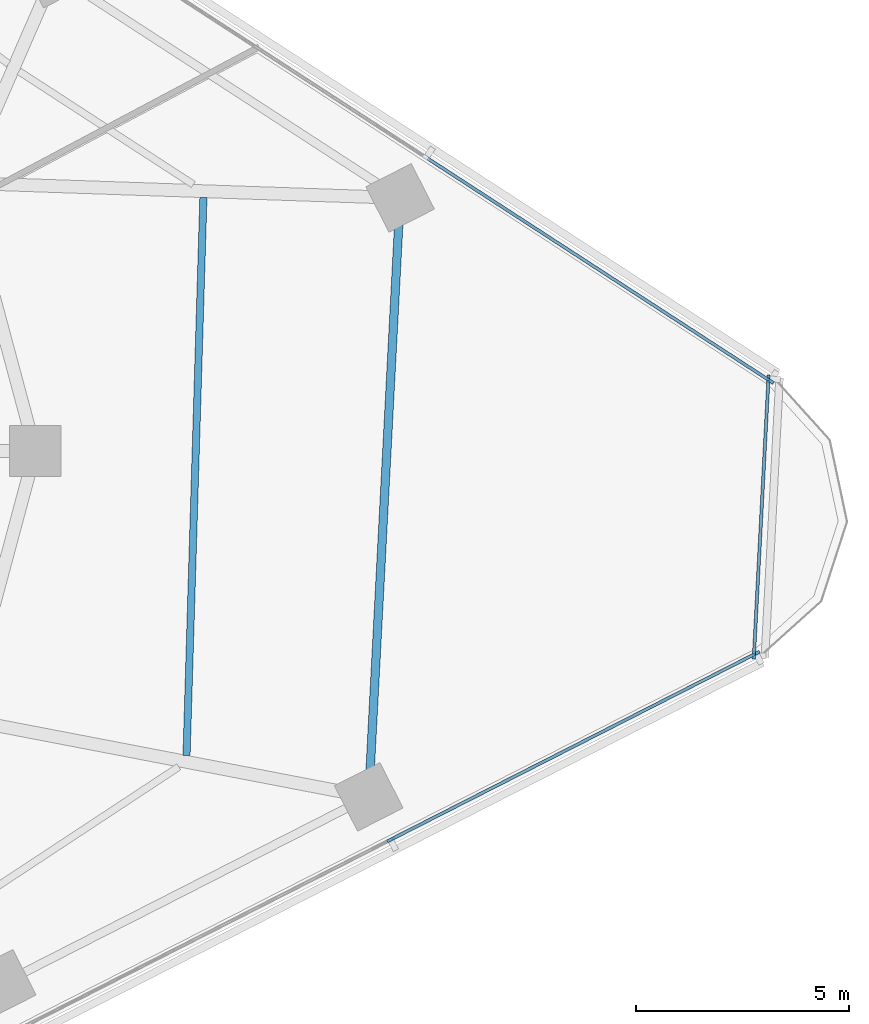
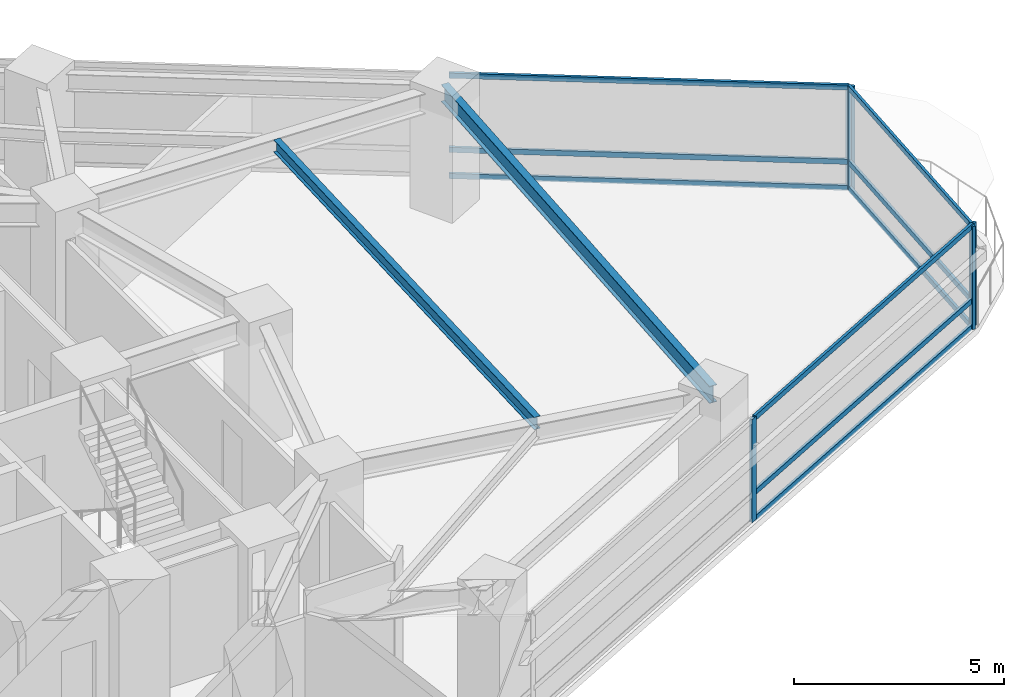
# One storey, part 4 of 14: 14 members, 2 beams, 3 elements without a shape of their own.
"""IFC4 building model written with IfcOpenShell, lengths in metres."""

import ifcopenshell
import ifcopenshell.guid

model = None  # the IFC model being written
_history = None  # IfcOwnerHistory: only IFC2X3 demands one
_inside = {}  # id of a spatial element -> (the spatial element, [elements in it])
_under = {}  # id of a project, library or spatial element -> (it, [spatial elements below it])
_declared = {}  # id of a project -> (the project, [libraries it declares])
_typed = {}  # id of a type object -> (the type object, [elements of that type])
_made_of = {}  # id of a material, layer set ... -> (it, [elements and type objects made of it])


def new_model(schema):
    """Start an empty IFC model of exactly this schema.

    Asked for "IFC4X3", IfcOpenShell would pick the latest addendum, in which some entities
    have other attributes; the version numbers below select the first issue.
    IFC2X3 requires an IfcOwnerHistory on every rooted entity: one is made here for all.
    """
    global model, _history
    if schema == "IFC4X3":
        model = ifcopenshell.file(schema_version=(4, 3, 0, 0))
    else:
        model = ifcopenshell.file(schema=schema)
    _inside.clear()
    _under.clear()
    _declared.clear()
    _typed.clear()
    _made_of.clear()
    _history = None
    if model.schema == "IFC2X3":
        org = make("IfcOrganization", Name="unknown")
        user = make(
            "IfcPersonAndOrganization",
            ThePerson=make("IfcPerson", FamilyName="unknown"),
            TheOrganization=org,
        )
        app = make(
            "IfcApplication",
            ApplicationDeveloper=org,
            Version="unknown",
            ApplicationFullName="unknown",
            ApplicationIdentifier="unknown",
        )
        _history = make(
            "IfcOwnerHistory",
            OwningUser=user,
            OwningApplication=app,
            ChangeAction="ADDED",
            CreationDate=0,
        )
    return model


def make(cls, **values):
    """One entity of the class cls with the attributes given. An attribute that is None is left unset."""
    return model.create_entity(
        cls, **{name: value for name, value in values.items() if value is not None}
    )


def rooted(cls, **values):
    """An entity with a GlobalId (a new one), such as an element, a storey or a relation."""
    return make(cls, GlobalId=ifcopenshell.guid.new(), OwnerHistory=_history, **values)


def si_unit(unit_type, name, prefix=None):
    """IfcSIUnit, for example si_unit("LENGTHUNIT", "METRE", prefix="MILLI")."""
    return make("IfcSIUnit", UnitType=unit_type, Prefix=prefix, Name=name)


def assignment(units):
    """IfcUnitAssignment: the units of a project."""
    return None if units is None else make("IfcUnitAssignment", Units=units)


def point(xyz):
    """IfcCartesianPoint."""
    return None if xyz is None else make("IfcCartesianPoint", Coordinates=xyz)


def direction(xyz):
    """IfcDirection."""
    return None if xyz is None else make("IfcDirection", DirectionRatios=xyz)


def frame(location, z_axis=None, x_axis=None):
    """IfcAxis2Placement3D, a coordinate frame: its origin and axes. An axis left out is left unset."""
    return make(
        "IfcAxis2Placement3D",
        Location=point(location),
        Axis=direction(z_axis),
        RefDirection=direction(x_axis),
    )


def frame_2d(location, x_axis=None):
    """IfcAxis2Placement2D, a coordinate frame in the plane: its origin and x axis."""
    return make(
        "IfcAxis2Placement2D", Location=point(location), RefDirection=direction(x_axis)
    )


def origin():
    """The frame at (0, 0, 0) with its axes left unset."""
    return frame((0.0, 0.0, 0.0))


def origin_2d():
    """The frame at (0, 0) in the plane with its x axis left unset."""
    return frame_2d((0.0, 0.0))


def place(relative_to, where):
    """IfcLocalPlacement: puts the frame where relative to a parent placement (None: the world)."""
    return make(
        "IfcLocalPlacement", PlacementRelTo=relative_to, RelativePlacement=where
    )


def context(
    kind, dimensions, precision=None, world=None, true_north=None, identifier=None
):
    """IfcGeometricRepresentationContext, for example the 3D "Model" context."""
    return make(
        "IfcGeometricRepresentationContext",
        ContextIdentifier=identifier,
        ContextType=kind,
        CoordinateSpaceDimension=dimensions,
        Precision=precision,
        WorldCoordinateSystem=world,
        TrueNorth=true_north,
    )


def subcontext(parent, identifier, kind, view, scale=None):
    """IfcGeometricRepresentationSubContext, for example "Body" below "Model"."""
    return make(
        "IfcGeometricRepresentationSubContext",
        ContextIdentifier=identifier,
        ContextType=kind,
        ParentContext=parent,
        TargetScale=scale,
        TargetView=view,
    )


def project(units=None, contexts=None):
    """IfcProject with its units and contexts."""
    return rooted(
        "IfcProject",
        Name="project",
        RepresentationContexts=contexts,
        UnitsInContext=assignment(units),
    )


def spatial(cls, under=None, at=None, **own):
    """A site, building, storey or space (cls), placed at a placement, below another one or the project."""
    s = rooted(cls, ObjectPlacement=at, **own)
    if under is not None:
        _under.setdefault(under.id(), (under, []))[1].append(s)
    return s


def profile(cls, at=None, kind="AREA", **sizes):
    """A parametric profile (cls). Its sizes go by their IFC names, for example OverallWidth=200.0."""
    return make(cls, ProfileType=kind, Position=at, **sizes)


def rectangle(**sizes):
    """IfcRectangleProfileDef."""
    return profile("IfcRectangleProfileDef", **sizes)


def i_section(**sizes):
    """IfcIShapeProfileDef."""
    return profile("IfcIShapeProfileDef", **sizes)


def extrude(swept, where, along, depth):
    """IfcExtrudedAreaSolid: the profile swept, set in the frame where, extruded along a direction by depth."""
    return make(
        "IfcExtrudedAreaSolid",
        SweptArea=swept,
        Position=where,
        ExtrudedDirection=direction(along),
        Depth=depth,
    )


def shape(context_of_items, identifier, shape_type, items):
    """IfcShapeRepresentation: the items that make up one representation, for example the "Body"."""
    return make(
        "IfcShapeRepresentation",
        ContextOfItems=context_of_items,
        RepresentationIdentifier=identifier,
        RepresentationType=shape_type,
        Items=items,
    )


def material(Name=None, Category=None):
    """IfcMaterial."""
    return make("IfcMaterial", Name=Name, Category=Category)


def layer(
    of_material, thickness, ventilated=None, Name=None, Category=None, Priority=None
):
    """IfcMaterialLayer: one layer of a wall or slab, of a material (None: an air gap)."""
    return make(
        "IfcMaterialLayer",
        Material=of_material,
        LayerThickness=thickness,
        IsVentilated=ventilated,
        Name=Name,
        Category=Category,
        Priority=Priority,
    )


def layer_set(layers, Name=None):
    """IfcMaterialLayerSet."""
    return make("IfcMaterialLayerSet", MaterialLayers=layers, LayerSetName=Name)


def material_profile(
    of_material, cross_section, Name=None, Category=None, Priority=None
):
    """IfcMaterialProfile: a cross section and its material."""
    return make(
        "IfcMaterialProfile",
        Name=Name,
        Material=of_material,
        Profile=cross_section,
        Priority=Priority,
        Category=Category,
    )


def profile_set(profiles, Name=None, composite=None):
    """IfcMaterialProfileSet."""
    return make(
        "IfcMaterialProfileSet",
        Name=Name,
        MaterialProfiles=profiles,
        CompositeProfile=composite,
    )


def made_of(thing, what):
    """Note that an element or type object is made of a material, layer set ...; save() writes the relation."""
    if what is not None:
        _made_of.setdefault(what.id(), (what, []))[1].append(thing)
    return thing


def type_object(cls, material=None, **own):
    """A type object (cls), such as IfcWallType, which elements share."""
    return made_of(rooted(cls, **own), material)


def element(
    cls,
    number,
    at=None,
    inside=None,
    cuts=None,
    type_object=None,
    material=None,
    context=None,
    identifier="Body",
    shape_type=None,
    held_by="IfcProductDefinitionShape",
    body=None,
    shapes=None,
    **own,
):
    """One element of the class cls, such as IfcWall. Its Tag is "e" and its number.

    at: its placement. inside: the storey or other place that contains it. cuts: it is an
    opening in that element (IfcRelVoidsElement). A single representation is given by context,
    identifier, shape_type and body (its items); several are given by shapes. held_by: the class
    of the entity that holds the representations. save() writes the other relations.
    """
    e = rooted(cls, Tag="e%d" % number, ObjectPlacement=at, **own)
    if body is not None:
        shapes = [shape(context, identifier, shape_type, body)]
    if shapes is not None:
        e.Representation = make(held_by, Representations=shapes)
    if inside is not None:
        _inside.setdefault(inside.id(), (inside, []))[1].append(e)
    if cuts is not None:
        rooted(
            "IfcRelVoidsElement", RelatingBuildingElement=cuts, RelatedOpeningElement=e
        )
    if type_object is not None:
        _typed.setdefault(type_object.id(), (type_object, []))[1].append(e)
    return made_of(e, material)


def aggregate(whole, parts):
    """IfcRelAggregates: a whole, such as a stair, and the parts it consists of."""
    return rooted("IfcRelAggregates", RelatingObject=whole, RelatedObjects=parts)


def save(model, path):
    """Write the relations noted so far, then the file.

    IfcRelAggregates (storeys below a building ...), IfcRelContainedInSpatialStructure (elements
    in a storey), IfcRelDefinesByType, IfcRelAssociatesMaterial and IfcRelDeclares: one each for
    every whole, place, type object, material and project.
    """
    for whole, parts in _under.values():
        aggregate(whole, parts)
    for where, things in _inside.values():
        rooted(
            "IfcRelContainedInSpatialStructure",
            RelatedElements=things,
            RelatingStructure=where,
        )
    for kind, things in _typed.values():
        rooted("IfcRelDefinesByType", RelatedObjects=things, RelatingType=kind)
    for what, things in _made_of.values():
        rooted("IfcRelAssociatesMaterial", RelatedObjects=things, RelatingMaterial=what)
    for by, libraries in _declared.values():
        rooted("IfcRelDeclares", RelatingContext=by, RelatedDefinitions=libraries)
    model.write(path)


model = new_model("IFC4")

# Units and contexts
model_context = context("Model", 3, precision=1e-05, world=origin(), true_north=direction((0.0, 1.0)))
body_context = subcontext(model_context, "Body", "Model", "MODEL_VIEW")
ifc_project = project(units=[si_unit("LENGTHUNIT", "METRE"), si_unit("AREAUNIT", "SQUARE_METRE"), si_unit("VOLUMEUNIT", "CUBIC_METRE"), si_unit("PLANEANGLEUNIT", "RADIAN"), si_unit("MASSUNIT", "GRAM", prefix="KILO")], contexts=[model_context])

# Site, building, storey
site_placement = place(None, origin())
site = spatial("IfcSite", under=ifc_project, at=site_placement, CompositionType="ELEMENT")
building_placement = place(site_placement, origin())
building = spatial("IfcBuilding", under=site, at=building_placement, Name="Terralouvre Media Tower", CompositionType="ELEMENT")
storey_placement = place(building_placement, frame((0.0, 0.0, 138.39990234375)))
storey = spatial("IfcBuildingStorey", under=building, at=storey_placement, Name="L35", CompositionType="ELEMENT", Elevation=138.39990234375)

# Beam
ifc_material_1 = material(Name="Structural steel S355J2", Category="steel")
ifc_material_profile_1 = material_profile(ifc_material_1, i_section(OverallWidth=0.169921875, OverallDepth=0.360107421875, WebThickness=0.008056640625, FlangeThickness=0.0126953125, at=origin_2d()), Name="IPE 360")
ifc_profile_set_1 = profile_set([ifc_material_profile_1], Name="Structural steel S355J2")
beam_type_1 = type_object("IfcBeamType", Name="Composite Floor Joist J-IPE360 (IPE 360)", PredefinedType="JOIST", material=ifc_profile_set_1)
beam_1_placement = place(storey_placement, frame((16.156005859375, -7.156005859375, 3.320068359375), z_axis=(0.030223204966, 0.999543174596, 0.0), x_axis=(-0.999543174596, 0.030223204966, 0.0)))
element("IfcBeam", 1, at=beam_1_placement, inside=storey, type_object=beam_type_1, Name="L35 Framing Beam JT-L35-06", PredefinedType="JOIST", context=body_context, shape_type="SweptSolid", body=[
    extrude(i_section(OverallWidth=0.169921875, OverallDepth=0.360107421875, WebThickness=0.008056640625, FlangeThickness=0.0126953125, at=origin_2d()), origin(), (0.0, 0.0, 1.0), 13.11865234375),
])

# Curtain wall, members
ifc_material_2 = material(Name="Low-iron laminated double glazing with solar-control coating", Category="glass")
ifc_layer_1 = layer(ifc_material_2, 0.1650390625, Name="Production Studio Tower Curtain Wall CW-03")
ifc_layer_set_1 = layer_set([ifc_layer_1], Name="Low-iron laminated double glazing with solar-control coating")
curtain_wall_type_1 = type_object("IfcCurtainWallType", Name="Production Studio Tower Curtain Wall CW-03", PredefinedType="NOTDEFINED", material=ifc_layer_set_1)
curtain_wall_1_placement = place(storey_placement, origin())
curtain_wall_1 = element("IfcCurtainWall", 2, at=curtain_wall_1_placement, inside=storey, type_object=curtain_wall_type_1, Name="L35 Facade Curtain Wall F0", PredefinedType="NOTDEFINED")
ifc_material_3 = material(Name="Anodised extruded aluminium 6063-T6", Category="aluminium")
ifc_material_profile_2 = material_profile(ifc_material_3, rectangle(XDim=0.074951171875, YDim=0.14990234375, at=origin_2d()), Name="ALU 75x150")
ifc_profile_set_2 = profile_set([ifc_material_profile_2], Name="Anodised extruded aluminium 6063-T6")
member_type_1 = type_object("IfcMemberType", Name="Curtain-Wall Horizontal Transom TR-150", PredefinedType="USERDEFINED", material=ifc_profile_set_2)
member_1_placement = place(storey_placement, frame((20.984619140625, -9.118896484375, 0.03759765625), z_axis=(0.891007557644, 0.453988471462, 0.0), x_axis=(-0.453988471462, 0.891007557644, 0.0)))
member_1 = element("IfcMember", 3, at=member_1_placement, type_object=member_type_1, Name="CW-03 transom 5.1", ObjectType="TRANSOM", PredefinedType="USERDEFINED", context=body_context, shape_type="SweptSolid", body=[
    extrude(rectangle(XDim=0.074951171875, YDim=0.14990234375, at=origin_2d()), origin(), (0.0, 0.0, 1.0), 9.5673828125),
])
member_2_placement = place(storey_placement, frame((20.984619140625, -9.118896484375, 0.800048828125), z_axis=(0.891007557644, 0.453988471462, 0.0), x_axis=(-0.453988471462, 0.891007557644, 0.0)))
member_2 = element("IfcMember", 4, at=member_2_placement, type_object=member_type_1, Name="CW-03 transom 5.2", ObjectType="TRANSOM", PredefinedType="USERDEFINED", context=body_context, shape_type="SweptSolid", body=[
    extrude(rectangle(XDim=0.074951171875, YDim=0.14990234375, at=origin_2d()), origin(), (0.0, 0.0, 1.0), 9.5673828125),
])
member_3_placement = place(storey_placement, frame((20.984619140625, -9.118896484375, 2.962646484375), z_axis=(0.891007557644, 0.453988471462, 0.0), x_axis=(-0.453988471462, 0.891007557644, 0.0)))
member_3 = element("IfcMember", 5, at=member_3_placement, type_object=member_type_1, Name="CW-03 transom 5.3", ObjectType="TRANSOM", PredefinedType="USERDEFINED", context=body_context, shape_type="SweptSolid", body=[
    extrude(rectangle(XDim=0.074951171875, YDim=0.14990234375, at=origin_2d()), origin(), (0.0, 0.0, 1.0), 9.5673828125),
])

curtain_wall_2_placement = place(storey_placement, origin())
curtain_wall_2 = element("IfcCurtainWall", 6, at=curtain_wall_2_placement, inside=storey, type_object=curtain_wall_type_1, Name="L35 Facade Curtain Wall F1", PredefinedType="NOTDEFINED")
member_4_placement = place(storey_placement, frame((29.846923828125, 1.664794921875, 0.03759765625), z_axis=(-0.838683148474, 0.544619662211, 0.0), x_axis=(-0.544619662211, -0.838683148474, 0.0)))
member_4 = element("IfcMember", 7, at=member_4_placement, type_object=member_type_1, Name="CW-03 transom 1.1", ObjectType="TRANSOM", PredefinedType="USERDEFINED", context=body_context, shape_type="SweptSolid", body=[
    extrude(rectangle(XDim=0.074951171875, YDim=0.14990234375, at=origin_2d()), origin(), (0.0, 0.0, 1.0), 9.567626953125),
])
member_5_placement = place(storey_placement, frame((29.846923828125, 1.664794921875, 0.800048828125), z_axis=(-0.838683148474, 0.544619662211, 0.0), x_axis=(-0.544619662211, -0.838683148474, 0.0)))
member_5 = element("IfcMember", 8, at=member_5_placement, type_object=member_type_1, Name="CW-03 transom 1.2", ObjectType="TRANSOM", PredefinedType="USERDEFINED", context=body_context, shape_type="SweptSolid", body=[
    extrude(rectangle(XDim=0.074951171875, YDim=0.14990234375, at=origin_2d()), origin(), (0.0, 0.0, 1.0), 9.567626953125),
])
member_6_placement = place(storey_placement, frame((29.846923828125, 1.664794921875, 2.962646484375), z_axis=(-0.838683148474, 0.544619662211, 0.0), x_axis=(-0.544619662211, -0.838683148474, 0.0)))
member_6 = element("IfcMember", 9, at=member_6_placement, type_object=member_type_1, Name="CW-03 transom 1.3", ObjectType="TRANSOM", PredefinedType="USERDEFINED", context=body_context, shape_type="SweptSolid", body=[
    extrude(rectangle(XDim=0.074951171875, YDim=0.14990234375, at=origin_2d()), origin(), (0.0, 0.0, 1.0), 9.567626953125),
])

ifc_material_4 = material(Name="Low-iron laminated double glazing with solar-control coating", Category="glass")
ifc_layer_2 = layer(ifc_material_4, 0.1650390625, Name="Rounded Wind-Corner Curved Glazing CW-04")
ifc_layer_set_2 = layer_set([ifc_layer_2], Name="Low-iron laminated double glazing with solar-control coating")
curtain_wall_type_2 = type_object("IfcCurtainWallType", Name="Rounded Wind-Corner Curved Glazing CW-04", PredefinedType="NOTDEFINED", material=ifc_layer_set_2)
curtain_wall_3_placement = place(storey_placement, origin())
curtain_wall_3 = element("IfcCurtainWall", 10, at=curtain_wall_3_placement, inside=storey, type_object=curtain_wall_type_2, Name="L35 Rounded Wind-Corner Curtain Wall C1", PredefinedType="NOTDEFINED")
member_7_placement = place(storey_placement, frame((29.49462890625, -4.76611328125, 0.03759765625), z_axis=(0.052343668365, 0.998629130549, 0.0), x_axis=(-0.998629130549, 0.052343668365, 0.0)))
member_7 = element("IfcMember", 11, at=member_7_placement, type_object=member_type_1, Name="CW-04 transom 1.1", ObjectType="TRANSOM", PredefinedType="USERDEFINED", context=body_context, shape_type="SweptSolid", body=[
    extrude(rectangle(XDim=0.074951171875, YDim=0.14990234375, at=origin_2d()), origin(), (0.0, 0.0, 1.0), 6.431884765625),
])
member_8_placement = place(storey_placement, frame((29.49462890625, -4.76611328125, 0.800048828125), z_axis=(0.052343668365, 0.998629130549, 0.0), x_axis=(-0.998629130549, 0.052343668365, 0.0)))
member_8 = element("IfcMember", 12, at=member_8_placement, type_object=member_type_1, Name="CW-04 transom 1.2", ObjectType="TRANSOM", PredefinedType="USERDEFINED", context=body_context, shape_type="SweptSolid", body=[
    extrude(rectangle(XDim=0.074951171875, YDim=0.14990234375, at=origin_2d()), origin(), (0.0, 0.0, 1.0), 6.431884765625),
])
member_9_placement = place(storey_placement, frame((29.49462890625, -4.76611328125, 2.962646484375), z_axis=(0.052343668365, 0.998629130549, 0.0), x_axis=(-0.998629130549, 0.052343668365, 0.0)))
member_9 = element("IfcMember", 13, at=member_9_placement, type_object=member_type_1, Name="CW-04 transom 1.3", ObjectType="TRANSOM", PredefinedType="USERDEFINED", context=body_context, shape_type="SweptSolid", body=[
    extrude(rectangle(XDim=0.074951171875, YDim=0.14990234375, at=origin_2d()), origin(), (0.0, 0.0, 1.0), 6.431884765625),
])

# Member
ifc_material_5 = material(Name="Anodised extruded aluminium 6063-T6", Category="aluminium")
ifc_material_profile_3 = material_profile(ifc_material_5, rectangle(XDim=0.074951171875, YDim=0.179931640625, at=origin_2d()), Name="ALU 75x180")
ifc_profile_set_3 = profile_set([ifc_material_profile_3], Name="Anodised extruded aluminium 6063-T6")
member_type_2 = type_object("IfcMemberType", Name="Curtain-Wall Vertical Mullion ML-180", PredefinedType="MULLION", material=ifc_profile_set_3)
member_10_placement = place(storey_placement, frame((20.951171875, -9.135986328125, 0.0), z_axis=(0.0, 0.0, 1.0), x_axis=(-0.4539905449, 0.891006501178, 0.0)))
member_10 = element("IfcMember", 14, at=member_10_placement, type_object=member_type_2, Name="CW-03 mullion 5", PredefinedType="MULLION", context=body_context, shape_type="SweptSolid", body=[
    extrude(rectangle(XDim=0.074951171875, YDim=0.179931640625, at=origin_2d()), origin(), (0.0, 0.0, 1.0), 3.0),
])

member_11_placement = place(storey_placement, frame((29.542724609375, -4.75830078125, 0.0), z_axis=(0.0, 0.0, 1.0), x_axis=(-0.4539905449, 0.891006501178, 0.0)))
member_11 = element("IfcMember", 15, at=member_11_placement, type_object=member_type_2, Name="CW-03 mullion 6", PredefinedType="MULLION", context=body_context, shape_type="SweptSolid", body=[
    extrude(rectangle(XDim=0.074951171875, YDim=0.179931640625, at=origin_2d()), origin(), (0.0, 0.0, 1.0), 3.0),
])

aggregate(curtain_wall_1, [member_10, member_11, member_1, member_2, member_3])

member_12_placement = place(storey_placement, frame((29.878173828125, 1.644287109375, 0.0), z_axis=(0.0, 0.0, 1.0), x_axis=(-0.544639002681, -0.838670588944, 0.0)))
member_12 = element("IfcMember", 16, at=member_12_placement, type_object=member_type_2, Name="CW-03 mullion 1", PredefinedType="MULLION", context=body_context, shape_type="SweptSolid", body=[
    extrude(rectangle(XDim=0.074951171875, YDim=0.179931640625, at=origin_2d()), origin(), (0.0, 0.0, 1.0), 3.0),
])

aggregate(curtain_wall_2, [member_12, member_4, member_5, member_6])

member_13_placement = place(storey_placement, frame((29.49267578125, -4.803466796875, 0.0), z_axis=(0.0, 0.0, 1.0), x_axis=(-0.998629489329, 0.052336823006, 0.0)))
member_13 = element("IfcMember", 17, at=member_13_placement, type_object=member_type_2, Name="CW-04 mullion 1", PredefinedType="MULLION", context=body_context, shape_type="SweptSolid", body=[
    extrude(rectangle(XDim=0.074951171875, YDim=0.179931640625, at=origin_2d()), origin(), (0.0, 0.0, 1.0), 3.0),
])

member_14_placement = place(storey_placement, frame((29.833251953125, 1.6943359375, 0.0), z_axis=(0.0, 0.0, 1.0), x_axis=(-0.998629489329, 0.052336823006, 0.0)))
member_14 = element("IfcMember", 18, at=member_14_placement, type_object=member_type_2, Name="CW-04 mullion 2", PredefinedType="MULLION", context=body_context, shape_type="SweptSolid", body=[
    extrude(rectangle(XDim=0.074951171875, YDim=0.179931640625, at=origin_2d()), origin(), (0.0, 0.0, 1.0), 3.0),
])

aggregate(curtain_wall_3, [member_13, member_14, member_7, member_8, member_9])

# Beam
ifc_material_6 = material(Name="Structural steel S355J2", Category="steel")
ifc_material_profile_4 = material_profile(ifc_material_6, i_section(OverallWidth=0.199951171875, OverallDepth=0.5, WebThickness=0.01025390625, FlangeThickness=0.01611328125, at=origin_2d()), Name="IPE 500")
ifc_profile_set_4 = profile_set([ifc_material_profile_4], Name="Structural steel S355J2")
beam_type_2 = type_object("IfcBeamType", Name="Perimeter Spandrel Beam SPB-500 (IPE 500)", PredefinedType="SPANDREL", material=ifc_profile_set_4)
beam_2_placement = place(storey_placement, frame((20.438232421875, -8.129150390625, 3.25), z_axis=(0.052337943139, 0.998629430624, 0.0), x_axis=(-0.998629430624, 0.052337943139, 0.0)))
element("IfcBeam", 19, at=beam_2_placement, inside=storey, type_object=beam_type_2, Name="L35 Framing Beam BM-L35-PR06", PredefinedType="SPANDREL", context=body_context, shape_type="SweptSolid", body=[
    extrude(i_section(OverallWidth=0.199951171875, OverallDepth=0.5, WebThickness=0.01025390625, FlangeThickness=0.01611328125, at=origin_2d()), origin(), (0.0, 0.0, 1.0), 14.0966796875),
])

save(model, "model.ifc")
